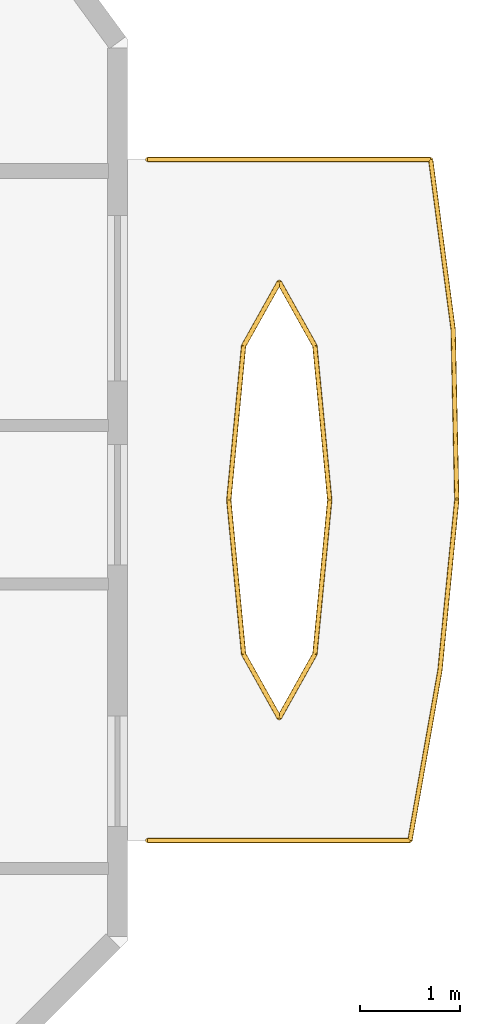
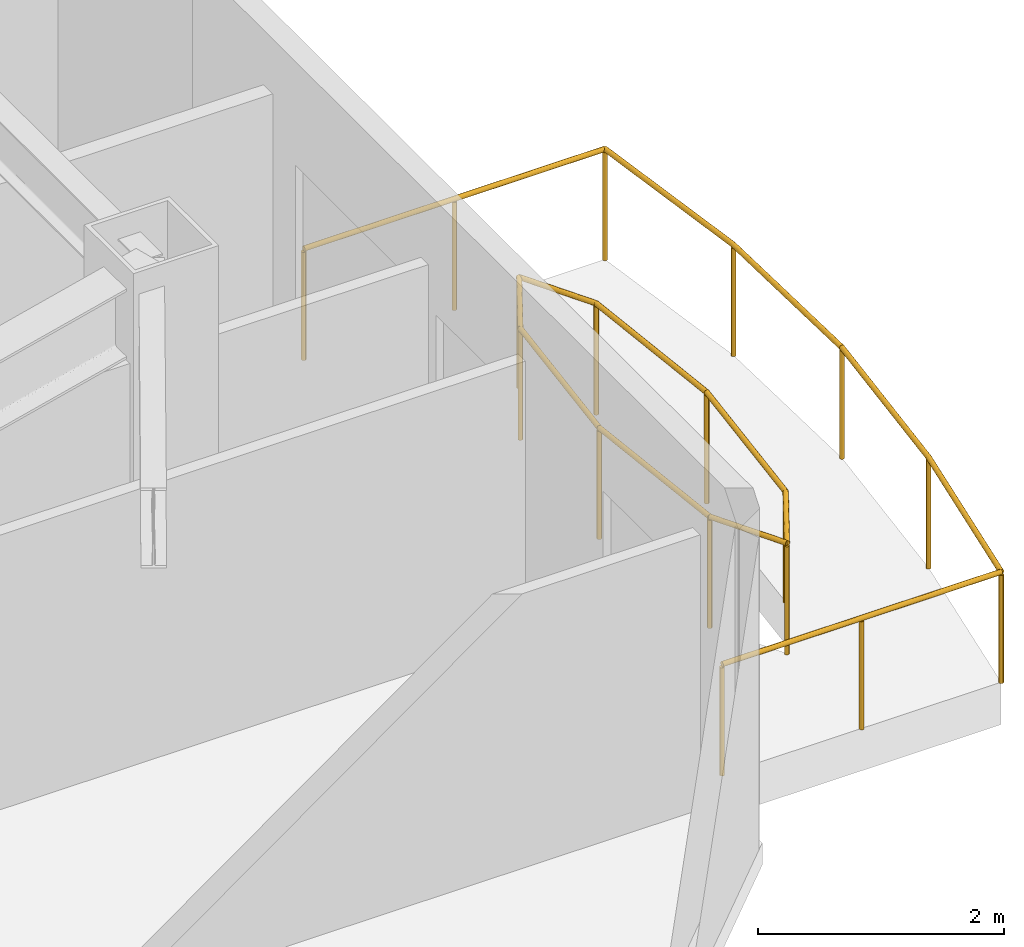
# One storey, part 11 of 11: 4 railings.
"""IFC4 building model written with IfcOpenShell, lengths in metres."""

from ifc_helpers import new_model, si_unit, direction, frame, origin, origin_2d, place, context, subcontext, project, spatial, circle, extrude, material, type_object, element, save


model = new_model("IFC4")

# Units and contexts
model_context = context("Model", 3, precision=1e-05, world=origin(), true_north=direction((0.0, 1.0)))
body_context = subcontext(model_context, "Body", "Model", "MODEL_VIEW")
ifc_project = project(units=[si_unit("LENGTHUNIT", "METRE"), si_unit("AREAUNIT", "SQUARE_METRE"), si_unit("VOLUMEUNIT", "CUBIC_METRE"), si_unit("PLANEANGLEUNIT", "RADIAN"), si_unit("MASSUNIT", "GRAM", prefix="KILO")], contexts=[model_context])

# Site, building, storey
site_placement = place(None, origin())
site = spatial("IfcSite", under=ifc_project, at=site_placement, CompositionType="ELEMENT")
building_placement = place(site_placement, origin())
building = spatial("IfcBuilding", under=site, at=building_placement, Name="Khamvora Tower", CompositionType="ELEMENT")
storey_placement = place(building_placement, frame((0.0, 0.0, 239.10009765625)))
storey = spatial("IfcBuildingStorey", under=building, at=storey_placement, Name="L61", CompositionType="ELEMENT", Elevation=239.10009765625)

# Railings
ifc_material = material(Name="Stainless Steel 316 and Laminated Glass", Category="steel")
railing_type = type_object("IfcRailingType", Name="RAL-GAL-1120", PredefinedType="GUARDRAIL", material=ifc_material)
railing_1_placement = place(storey_placement, frame((70.0, 17.0, 0.0)))
element("IfcRailing", 1, at=railing_1_placement, inside=storey, type_object=railing_type, Name="L61 lens gallery south perimeter guardrail EL1", PredefinedType="GUARDRAIL", context=body_context, shape_type="SweptSolid", body=[
    extrude(circle(Radius=0.02392578125, at=origin_2d()), frame((0.0, 0.0, 1.09619140625), z_axis=(1.0, 0.0, 0.0), x_axis=(0.0, 1.0, 0.0)), (0.0, 0.0, 1.0), 2.6201171875),
    extrude(circle(Radius=0.02392578125, at=origin_2d()), frame((2.6201171875, 0.0, 1.09619140625), z_axis=(0.173680444257, 0.984802062997, 0.0), x_axis=(-0.984802062997, 0.173680444257, 0.0)), (0.0, 0.0, 1.0), 1.72607421875),
    extrude(circle(Radius=0.02392578125, at=origin_2d()), frame((2.919921875, 1.699951171875, 1.09619140625), z_axis=(0.098329156272, 0.995153946396, 0.0), x_axis=(-0.995153946396, 0.098329156272, 0.0)), (0.0, 0.0, 1.0), 1.708251953125),
    extrude(circle(Radius=0.02099609375, at=origin_2d()), origin(), (0.0, 0.0, 1.0), 1.072021484375),
    extrude(circle(Radius=0.02099609375, at=origin_2d()), frame((1.31005859375, 0.0, 0.0)), (0.0, 0.0, 1.0), 1.072021484375),
    extrude(circle(Radius=0.02099609375, at=origin_2d()), frame((2.6201171875, 0.0, 0.0)), (0.0, 0.0, 1.0), 1.072021484375),
    extrude(circle(Radius=0.02099609375, at=origin_2d()), frame((2.919921875, 1.699951171875, 0.0)), (0.0, 0.0, 1.0), 1.072021484375),
    extrude(circle(Radius=0.02099609375, at=origin_2d()), frame((3.087890625, 3.39990234375, 0.0)), (0.0, 0.0, 1.0), 1.072021484375),
])
railing_2_placement = place(storey_placement, frame((73.087890625, 20.39990234375, 0.0)))
element("IfcRailing", 2, at=railing_2_placement, inside=storey, type_object=railing_type, Name="L61 lens gallery north perimeter guardrail EL1", PredefinedType="GUARDRAIL", context=body_context, shape_type="SweptSolid", body=[
    extrude(circle(Radius=0.02392578125, at=origin_2d()), frame((0.0, 0.0, 1.09619140625), z_axis=(-0.021103857188, 0.999777288806, 0.0), x_axis=(-0.999777288806, -0.021103857188, 0.0)), (0.0, 0.0, 1.0), 1.70068359375),
    extrude(circle(Radius=0.02392578125, at=origin_2d()), frame((-0.035888671875, 1.7001953125, 1.09619140625), z_axis=(-0.131268391605, 0.991346866321, 0.0), x_axis=(-0.991346866321, -0.131268391605, 0.0)), (0.0, 0.0, 1.0), 1.71484375),
    extrude(circle(Radius=0.02392578125, at=origin_2d()), frame((-0.260986328125, 3.400146484375, 1.09619140625), z_axis=(-1.0, 0.0, 0.0), x_axis=(0.0, -1.0, 0.0)), (0.0, 0.0, 1.0), 2.826904296875),
    extrude(circle(Radius=0.02099609375, at=origin_2d()), origin(), (0.0, 0.0, 1.0), 1.072021484375),
    extrude(circle(Radius=0.02099609375, at=origin_2d()), frame((-0.035888671875, 1.7001953125, 0.0)), (0.0, 0.0, 1.0), 1.072021484375),
    extrude(circle(Radius=0.02099609375, at=origin_2d()), frame((-0.260986328125, 3.400146484375, 0.0)), (0.0, 0.0, 1.0), 1.072021484375),
    extrude(circle(Radius=0.02099609375, at=origin_2d()), frame((-1.67431640625, 3.400146484375, 0.0)), (0.0, 0.0, 1.0), 1.072021484375),
    extrude(circle(Radius=0.02099609375, at=origin_2d()), frame((-3.087890625, 3.400146484375, 0.0)), (0.0, 0.0, 1.0), 1.072021484375),
])
railing_3_placement = place(storey_placement, frame((71.819091796875, 20.39990234375, 0.0)))
element("IfcRailing", 3, at=railing_3_placement, inside=storey, type_object=railing_type, Name="L61 lens gallery void guardrail EL1A", PredefinedType="GUARDRAIL", context=body_context, shape_type="SweptSolid", body=[
    extrude(circle(Radius=0.02392578125, at=origin_2d()), frame((0.0, 0.0, 1.09619140625), z_axis=(-0.095844788822, 0.99539629116, 0.0), x_axis=(-0.99539629116, -0.095844788822, 0.0)), (0.0, 0.0, 1.0), 1.546142578125),
    extrude(circle(Radius=0.02392578125, at=origin_2d()), frame((-0.148193359375, 1.5390625, 1.09619140625), z_axis=(-0.487828856646, 0.872939291488, 0.0), x_axis=(-0.872939291488, -0.487828856646, 0.0)), (0.0, 0.0, 1.0), 0.729736328125),
    extrude(circle(Radius=0.02392578125, at=origin_2d()), frame((-0.504150390625, 2.176025390625, 1.09619140625), z_axis=(-0.487828856646, -0.872939291488, 0.0), x_axis=(0.872939291488, -0.487828856646, 0.0)), (0.0, 0.0, 1.0), 0.729736328125),
    extrude(circle(Radius=0.02392578125, at=origin_2d()), frame((-0.860107421875, 1.5390625, 1.09619140625), z_axis=(-0.095688336612, -0.995411343233, 0.0), x_axis=(0.995411343233, -0.095688336612, 0.0)), (0.0, 0.0, 1.0), 1.546142578125),
    extrude(circle(Radius=0.02099609375, at=origin_2d()), origin(), (0.0, 0.0, 1.0), 1.072021484375),
    extrude(circle(Radius=0.02099609375, at=origin_2d()), frame((-0.148193359375, 1.5390625, 0.0)), (0.0, 0.0, 1.0), 1.072021484375),
    extrude(circle(Radius=0.02099609375, at=origin_2d()), frame((-0.504150390625, 2.176025390625, 0.0)), (0.0, 0.0, 1.0), 1.072021484375),
    extrude(circle(Radius=0.02099609375, at=origin_2d()), frame((-0.860107421875, 1.5390625, 0.0)), (0.0, 0.0, 1.0), 1.072021484375),
    extrude(circle(Radius=0.02099609375, at=origin_2d()), frame((-1.008056640625, 0.0, 0.0)), (0.0, 0.0, 1.0), 1.072021484375),
])
railing_4_placement = place(storey_placement, frame((70.81103515625, 20.39990234375, 0.0)))
element("IfcRailing", 4, at=railing_4_placement, inside=storey, type_object=railing_type, Name="L61 lens gallery void guardrail EL1B", PredefinedType="GUARDRAIL", context=body_context, shape_type="SweptSolid", body=[
    extrude(circle(Radius=0.02392578125, at=origin_2d()), frame((0.0, 0.0, 1.09619140625), z_axis=(0.09570337897, -0.995409897105, 0.0), x_axis=(0.995409897105, 0.09570337897, 0.0)), (0.0, 0.0, 1.0), 1.5458984375),
    extrude(circle(Radius=0.02392578125, at=origin_2d()), frame((0.14794921875, -1.538818359375, 1.09619140625), z_axis=(0.487828856646, -0.872939291488, 0.0), x_axis=(0.872939291488, 0.487828856646, 0.0)), (0.0, 0.0, 1.0), 0.729736328125),
    extrude(circle(Radius=0.02392578125, at=origin_2d()), frame((0.50390625, -2.17578125, 1.09619140625), z_axis=(0.487828856646, 0.872939291488, 0.0), x_axis=(-0.872939291488, 0.487828856646, 0.0)), (0.0, 0.0, 1.0), 0.729736328125),
    extrude(circle(Radius=0.02392578125, at=origin_2d()), frame((0.85986328125, -1.538818359375, 1.09619140625), z_axis=(0.095859855319, 0.995394840321, 0.0), x_axis=(-0.995394840321, 0.095859855319, 0.0)), (0.0, 0.0, 1.0), 1.5458984375),
    extrude(circle(Radius=0.02099609375, at=origin_2d()), origin(), (0.0, 0.0, 1.0), 1.072021484375),
    extrude(circle(Radius=0.02099609375, at=origin_2d()), frame((0.14794921875, -1.538818359375, 0.0)), (0.0, 0.0, 1.0), 1.072021484375),
    extrude(circle(Radius=0.02099609375, at=origin_2d()), frame((0.50390625, -2.17578125, 0.0)), (0.0, 0.0, 1.0), 1.072021484375),
    extrude(circle(Radius=0.02099609375, at=origin_2d()), frame((0.85986328125, -1.538818359375, 0.0)), (0.0, 0.0, 1.0), 1.072021484375),
    extrude(circle(Radius=0.02099609375, at=origin_2d()), frame((1.008056640625, 0.0, 0.0)), (0.0, 0.0, 1.0), 1.072021484375),
])

save(model, "model.ifc")
